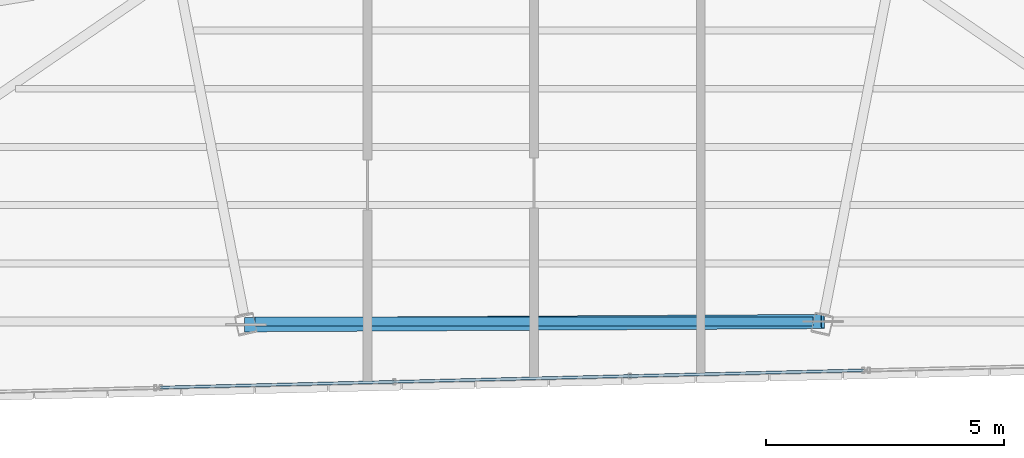
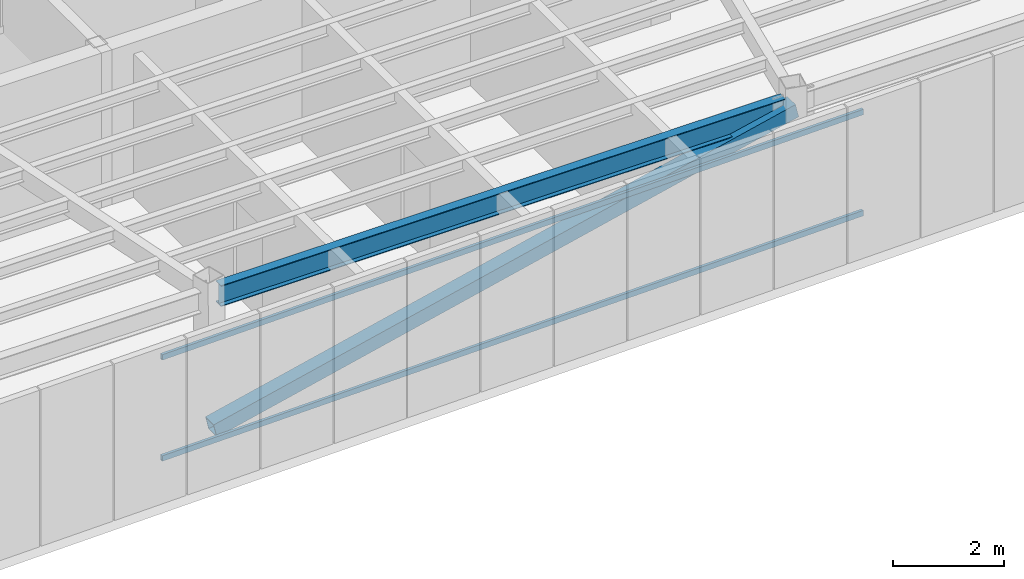
# One storey, part 12 of 44: 3 members, 1 beam, 1 element without a shape of its own.
"""IFC4 building model written with IfcOpenShell, lengths in metres."""

from ifc_helpers import new_model, si_unit, direction, frame, origin, origin_2d, place, context, subcontext, project, spatial, hollow_rectangle, i_section, extrude, source, transform, mapped, material, material_profile, profile_set, type_object, type_shapes, element, aggregate, save


model = new_model("IFC4")

# Units and contexts
model_context = context("Model", 3, precision=1e-05, world=origin(), true_north=direction((0.0, 1.0)))
body_context = subcontext(model_context, "Body", "Model", "MODEL_VIEW")
ifc_project = project(units=[si_unit("LENGTHUNIT", "METRE"), si_unit("AREAUNIT", "SQUARE_METRE"), si_unit("VOLUMEUNIT", "CUBIC_METRE"), si_unit("PLANEANGLEUNIT", "RADIAN"), si_unit("MASSUNIT", "GRAM", prefix="KILO")], contexts=[model_context])

# Site, building, storey
site_placement = place(None, origin())
site = spatial("IfcSite", under=ifc_project, at=site_placement, CompositionType="ELEMENT")
building_placement = place(site_placement, origin())
building = spatial("IfcBuilding", under=site, at=building_placement, Name="Caelisora Broadcast Tower", CompositionType="ELEMENT")
storey_placement = place(building_placement, frame((0.0, 0.0, 289.800048828125)))
storey = spatial("IfcBuildingStorey", under=building, at=storey_placement, Name="L76", CompositionType="ELEMENT", Elevation=289.800048828125)

# Beam
ifc_material_1 = material(Name="Steel Grade 350 (AS/NZS 3679.1)", Category="steel")
ifc_material_profile_1 = material_profile(ifc_material_1, i_section(OverallWidth=0.19091796875, OverallDepth=0.46044921875, WebThickness=0.010009765625, FlangeThickness=0.01611328125, at=origin_2d()), Name="Steel Grade 350 (AS/NZS 3679.1)")
ifc_profile_set_1 = profile_set([ifc_material_profile_1], Name="Steel Grade 350 (AS/NZS 3679.1)")
beam_type = type_object("IfcBeamType", Name="PG06", PredefinedType="BEAM", material=ifc_profile_set_1)
shared_shape_1 = source(origin(), body_context, "Body", "SweptSolid", [
    extrude(i_section(OverallWidth=0.19091796875, OverallDepth=0.46044921875, WebThickness=0.010009765625, FlangeThickness=0.01611328125, at=origin_2d()), origin(), (0.0, 0.0, 1.0), 11.7236328125),
])
type_shapes(beam_type, [shared_shape_1])
beam_placement = place(storey_placement, frame((32.13818359375, 10.060791015625, 2.919677734375), z_axis=(1.0, 0.0, 0.0), x_axis=(0.0, 1.0, 0.0)))
element("IfcBeam", 1, at=beam_placement, inside=storey, type_object=beam_type, Name="L76 beam PG06", PredefinedType="BEAM", context=body_context, shape_type="MappedRepresentation", body=[
    mapped(shared_shape_1, transform((0.0, 0.0, 0.0), scale=1.0)),
])

# Member
ifc_material_2 = material(Name="Steel Grade 450 (AS/NZS 1163 C450L0)", Category="steel")
ifc_material_profile_2 = material_profile(ifc_material_2, hollow_rectangle(XDim=0.300048828125, YDim=0.300048828125, WallThickness=0.012451171875, at=origin_2d()), Name="Steel Grade 450 (AS/NZS 1163 C450L0)")
ifc_profile_set_2 = profile_set([ifc_material_profile_2], Name="Steel Grade 450 (AS/NZS 1163 C450L0)")
member_type_1 = type_object("IfcMemberType", Name="BR06", PredefinedType="BRACE", material=ifc_profile_set_2)
shared_shape_2 = source(origin(), body_context, "Body", "SweptSolid", [
    extrude(hollow_rectangle(XDim=0.300048828125, YDim=0.300048828125, WallThickness=0.012451171875, at=origin_2d()), origin(), (0.0, 0.0, 1.0), 12.4326171875),
])
type_shapes(member_type_1, [shared_shape_2])
member_1_placement = place(storey_placement, frame((31.9453125, 9.993408203125, 0.099853515625), z_axis=(0.975215275544, 0.005419826347, 0.221191753528), x_axis=(-0.005557483342, 0.99998455707, 0.0)))
element("IfcMember", 2, at=member_1_placement, inside=storey, type_object=member_type_1, Name="L76 perimeter brace BR06", PredefinedType="BRACE", context=body_context, shape_type="MappedRepresentation", body=[
    mapped(shared_shape_2, transform((0.0, 0.0, 0.0), scale=1.0)),
])

# Curtain wall, members
ifc_material_3 = material(Name="Unitised Aluminium Insulated Shadow-Box Spandrel Curtain Wall", Category="aluminium")
curtain_wall_type = type_object("IfcCurtainWallType", Name="CW-SP3", PredefinedType="NOTDEFINED", material=ifc_material_3)
curtain_wall_placement = place(storey_placement, origin())
curtain_wall = element("IfcCurtainWall", 3, at=curtain_wall_placement, inside=storey, type_object=curtain_wall_type, Name="L76 curtain wall CW-SP3", PredefinedType="NOTDEFINED")
ifc_material_4 = material(Name="Aluminium 6063-T6 Anodised Terracotta Bronze", Category="aluminium")
ifc_material_profile_3 = material_profile(ifc_material_4, hollow_rectangle(XDim=0.06005859375, YDim=0.1201171875, WallThickness=0.0029296875, at=origin_2d()), Name="Aluminium 6063-T6 Anodised Terracotta Bronze")
ifc_profile_set_3 = profile_set([ifc_material_profile_3], Name="Aluminium 6063-T6 Anodised Terracotta Bronze")
member_type_2 = type_object("IfcMemberType", Name="CWT-03", PredefinedType="USERDEFINED", material=ifc_profile_set_3)
shared_shape_3 = source(origin(), body_context, "Body", "SweptSolid", [
    extrude(hollow_rectangle(XDim=0.06005859375, YDim=0.1201171875, WallThickness=0.0029296875, at=origin_2d()), origin(), (0.0, 0.0, 1.0), 14.776611328125),
])
type_shapes(member_type_2, [shared_shape_3])
member_2_placement = place(storey_placement, frame((44.923095703125, 9.03564453125, 0.849853515625), z_axis=(-0.999699371127, -0.024518714641, 0.0), x_axis=(0.024518714641, -0.999699371127, 0.0)))
member_2 = element("IfcMember", 4, at=member_2_placement, type_object=member_type_2, Name="L76-CW-B06 transom #1", ObjectType="TRANSOM", PredefinedType="USERDEFINED", context=body_context, shape_type="MappedRepresentation", body=[
    mapped(shared_shape_3, transform((0.0, 0.0, 0.0), scale=1.0)),
])
member_3_placement = place(storey_placement, frame((44.923095703125, 9.03564453125, 3.070068359375), z_axis=(-0.999699371127, -0.024518714641, 0.0), x_axis=(0.024518714641, -0.999699371127, 0.0)))
member_3 = element("IfcMember", 5, at=member_3_placement, type_object=member_type_2, Name="L76-CW-B06 transom #2", ObjectType="TRANSOM", PredefinedType="USERDEFINED", context=body_context, shape_type="MappedRepresentation", body=[
    mapped(shared_shape_3, transform((0.0, 0.0, 0.0), scale=1.0)),
])
aggregate(curtain_wall, [member_2, member_3])

save(model, "model.ifc")
